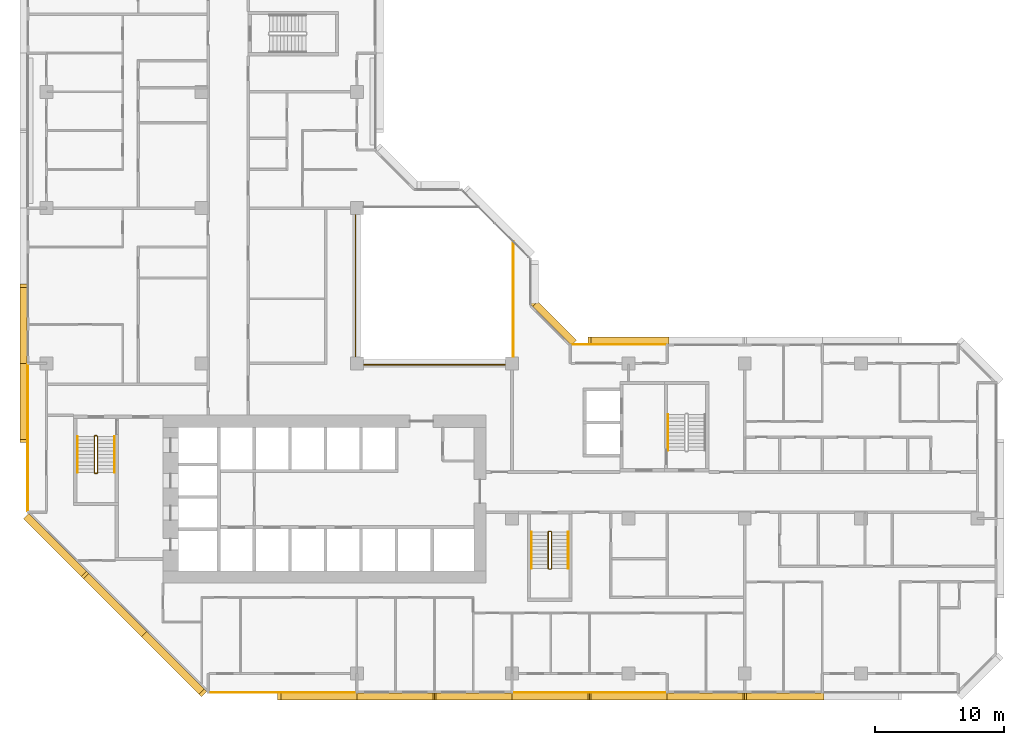
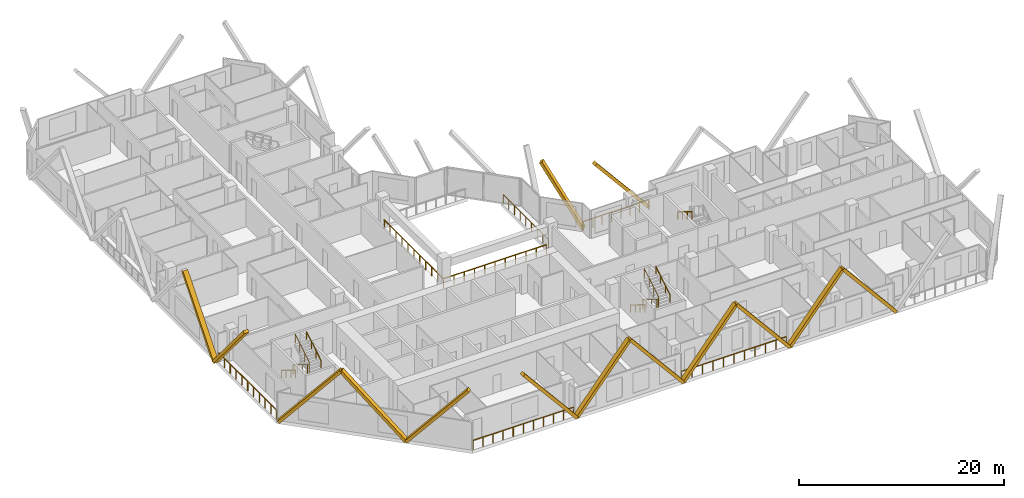
# One storey, part 15 of 16: 14 coverings, 13 railings.
"""IFC4 building model written with IfcOpenShell, lengths in metres."""

from ifc_helpers import new_model, si_unit, direction, frame, origin, origin_2d, place, context, subcontext, project, spatial, rectangle, extrude, material, material_profile, profile_set, type_object, element, save


model = new_model("IFC4")

# Units and contexts
model_context = context("Model", 3, precision=1e-05, world=origin(), true_north=direction((0.0, 1.0)))
body_context = subcontext(model_context, "Body", "Model", "MODEL_VIEW")
ifc_project = project(units=[si_unit("LENGTHUNIT", "METRE"), si_unit("AREAUNIT", "SQUARE_METRE"), si_unit("VOLUMEUNIT", "CUBIC_METRE"), si_unit("PLANEANGLEUNIT", "RADIAN"), si_unit("MASSUNIT", "GRAM", prefix="KILO")], contexts=[model_context])

# Site, building, storey
site_placement = place(None, origin())
site = spatial("IfcSite", under=ifc_project, at=site_placement, CompositionType="ELEMENT")
building_placement = place(site_placement, origin())
building = spatial("IfcBuilding", under=site, at=building_placement, Name="Chenar Terraces", CompositionType="ELEMENT")
storey_placement = place(building_placement, frame((0.0, 0.0, 99.39990234375)))
storey = spatial("IfcBuildingStorey", under=building, at=storey_placement, Name="L22", CompositionType="ELEMENT", Elevation=99.39990234375)

# Railings
ifc_material_1 = material(Name="Powder-coated steel", Category="steel")
railing_type_1 = type_object("IfcRailingType", Name="Guard 1100 steel rail with glass infill", PredefinedType="GUARDRAIL", material=ifc_material_1)
railing_1_placement = place(storey_placement, frame((23.89990234375, 35.5, 0.0)))
element("IfcRailing", 1, at=railing_1_placement, inside=storey, type_object=railing_type_1, Name="Guard L22-1", PredefinedType="GUARDRAIL", context=body_context, shape_type="SweptSolid", body=[
    extrude(rectangle(XDim=0.06005859375, YDim=0.06005859375, at=origin_2d()), frame((0.0, 0.0, 1.070068359375), z_axis=(0.0, -1.0, 0.0), x_axis=(1.0, 0.0, 0.0)), (0.0, 0.0, 1.0), 11.60009765625),
    extrude(rectangle(XDim=0.06005859375, YDim=0.06005859375, at=origin_2d()), frame((0.0, -11.60009765625, 1.070068359375), z_axis=(1.0, 0.0, 0.0), x_axis=(0.0, 1.0, 0.0)), (0.0, 0.0, 1.0), 11.60009765625),
    extrude(rectangle(XDim=0.050048828125, YDim=0.050048828125, at=origin_2d()), origin(), (0.0, 0.0, 1.0), 1.0400390625),
    extrude(rectangle(XDim=0.050048828125, YDim=0.050048828125, at=origin_2d()), frame((0.0, -1.159912109375, 0.0)), (0.0, 0.0, 1.0), 1.0400390625),
    extrude(rectangle(XDim=0.050048828125, YDim=0.050048828125, at=origin_2d()), frame((0.0, -2.320068359375, 0.0)), (0.0, 0.0, 1.0), 1.0400390625),
    extrude(rectangle(XDim=0.050048828125, YDim=0.050048828125, at=origin_2d()), frame((0.0, -3.47998046875, 0.0)), (0.0, 0.0, 1.0), 1.0400390625),
    extrude(rectangle(XDim=0.050048828125, YDim=0.050048828125, at=origin_2d()), frame((0.0, -4.64013671875, 0.0)), (0.0, 0.0, 1.0), 1.0400390625),
    extrude(rectangle(XDim=0.050048828125, YDim=0.050048828125, at=origin_2d()), frame((0.0, -5.800048828125, 0.0)), (0.0, 0.0, 1.0), 1.0400390625),
    extrude(rectangle(XDim=0.050048828125, YDim=0.050048828125, at=origin_2d()), frame((0.0, -6.9599609375, 0.0)), (0.0, 0.0, 1.0), 1.0400390625),
    extrude(rectangle(XDim=0.050048828125, YDim=0.050048828125, at=origin_2d()), frame((0.0, -8.1201171875, 0.0)), (0.0, 0.0, 1.0), 1.0400390625),
    extrude(rectangle(XDim=0.050048828125, YDim=0.050048828125, at=origin_2d()), frame((0.0, -9.280029296875, 0.0)), (0.0, 0.0, 1.0), 1.0400390625),
    extrude(rectangle(XDim=0.050048828125, YDim=0.050048828125, at=origin_2d()), frame((0.0, -10.440185546875, 0.0)), (0.0, 0.0, 1.0), 1.0400390625),
    extrude(rectangle(XDim=0.050048828125, YDim=0.050048828125, at=origin_2d()), frame((0.0, -11.60009765625, 0.0)), (0.0, 0.0, 1.0), 1.0400390625),
    extrude(rectangle(XDim=0.050048828125, YDim=0.050048828125, at=origin_2d()), frame((1.159912109375, -11.60009765625, 0.0)), (0.0, 0.0, 1.0), 1.0400390625),
    extrude(rectangle(XDim=0.050048828125, YDim=0.050048828125, at=origin_2d()), frame((2.320068359375, -11.60009765625, 0.0)), (0.0, 0.0, 1.0), 1.0400390625),
    extrude(rectangle(XDim=0.050048828125, YDim=0.050048828125, at=origin_2d()), frame((3.47998046875, -11.60009765625, 0.0)), (0.0, 0.0, 1.0), 1.0400390625),
    extrude(rectangle(XDim=0.050048828125, YDim=0.050048828125, at=origin_2d()), frame((4.64013671875, -11.60009765625, 0.0)), (0.0, 0.0, 1.0), 1.0400390625),
    extrude(rectangle(XDim=0.050048828125, YDim=0.050048828125, at=origin_2d()), frame((5.800048828125, -11.60009765625, 0.0)), (0.0, 0.0, 1.0), 1.0400390625),
    extrude(rectangle(XDim=0.050048828125, YDim=0.050048828125, at=origin_2d()), frame((6.9599609375, -11.60009765625, 0.0)), (0.0, 0.0, 1.0), 1.0400390625),
    extrude(rectangle(XDim=0.050048828125, YDim=0.050048828125, at=origin_2d()), frame((8.1201171875, -11.60009765625, 0.0)), (0.0, 0.0, 1.0), 1.0400390625),
    extrude(rectangle(XDim=0.050048828125, YDim=0.050048828125, at=origin_2d()), frame((9.280029296875, -11.60009765625, 0.0)), (0.0, 0.0, 1.0), 1.0400390625),
    extrude(rectangle(XDim=0.050048828125, YDim=0.050048828125, at=origin_2d()), frame((10.440185546875, -11.60009765625, 0.0)), (0.0, 0.0, 1.0), 1.0400390625),
    extrude(rectangle(XDim=0.050048828125, YDim=0.050048828125, at=origin_2d()), frame((11.60009765625, -11.60009765625, 0.0)), (0.0, 0.0, 1.0), 1.0400390625),
])
railing_2_placement = place(storey_placement, frame((36.10009765625, 24.550048828125, 0.0)))
element("IfcRailing", 2, at=railing_2_placement, inside=storey, type_object=railing_type_1, Name="Guard L22-3", PredefinedType="GUARDRAIL", context=body_context, shape_type="SweptSolid", body=[
    extrude(rectangle(XDim=0.06005859375, YDim=0.06005859375, at=origin_2d()), frame((0.0, 0.0, 1.070068359375), z_axis=(0.0, 1.0, 0.0), x_axis=(-1.0, 0.0, 0.0)), (0.0, 0.0, 1.0), 8.849853515625),
    extrude(rectangle(XDim=0.050048828125, YDim=0.050048828125, at=origin_2d()), origin(), (0.0, 0.0, 1.0), 1.0400390625),
    extrude(rectangle(XDim=0.050048828125, YDim=0.050048828125, at=origin_2d()), frame((0.0, 1.106201171875, 0.0)), (0.0, 0.0, 1.0), 1.0400390625),
    extrude(rectangle(XDim=0.050048828125, YDim=0.050048828125, at=origin_2d()), frame((0.0, 2.21240234375, 0.0)), (0.0, 0.0, 1.0), 1.0400390625),
    extrude(rectangle(XDim=0.050048828125, YDim=0.050048828125, at=origin_2d()), frame((0.0, 3.318603515625, 0.0)), (0.0, 0.0, 1.0), 1.0400390625),
    extrude(rectangle(XDim=0.050048828125, YDim=0.050048828125, at=origin_2d()), frame((0.0, 4.4248046875, 0.0)), (0.0, 0.0, 1.0), 1.0400390625),
    extrude(rectangle(XDim=0.050048828125, YDim=0.050048828125, at=origin_2d()), frame((0.0, 5.53125, 0.0)), (0.0, 0.0, 1.0), 1.0400390625),
    extrude(rectangle(XDim=0.050048828125, YDim=0.050048828125, at=origin_2d()), frame((0.0, 6.637451171875, 0.0)), (0.0, 0.0, 1.0), 1.0400390625),
    extrude(rectangle(XDim=0.050048828125, YDim=0.050048828125, at=origin_2d()), frame((0.0, 7.74365234375, 0.0)), (0.0, 0.0, 1.0), 1.0400390625),
    extrude(rectangle(XDim=0.050048828125, YDim=0.050048828125, at=origin_2d()), frame((0.0, 8.849853515625, 0.0)), (0.0, 0.0, 1.0), 1.0400390625),
])
ifc_material_2 = material(Name="Stainless steel and glass", Category="steel")
railing_type_2 = type_object("IfcRailingType", Name="Loggia guard 1150", PredefinedType="GUARDRAIL", material=ifc_material_2)
railing_3_placement = place(storey_placement, frame((47.925048828125, 25.449951171875, 0.0)))
element("IfcRailing", 3, at=railing_3_placement, inside=storey, type_object=railing_type_2, Name="Loggia guard", PredefinedType="GUARDRAIL", context=body_context, shape_type="SweptSolid", body=[
    extrude(rectangle(XDim=0.048095703125, YDim=0.048095703125, at=origin_2d()), frame((0.0, 0.0, 1.1259765625), z_axis=(-1.0, 0.0, 0.0), x_axis=(0.0, -1.0, 0.0)), (0.0, 0.0, 1.0), 7.35009765625),
    extrude(rectangle(XDim=0.0419921875, YDim=0.0419921875, at=origin_2d()), origin(), (0.0, 0.0, 1.0), 1.101806640625),
    extrude(rectangle(XDim=0.0419921875, YDim=0.0419921875, at=origin_2d()), frame((-1.050048828125, 0.0, 0.0)), (0.0, 0.0, 1.0), 1.101806640625),
    extrude(rectangle(XDim=0.0419921875, YDim=0.0419921875, at=origin_2d()), frame((-2.10009765625, 0.0, 0.0)), (0.0, 0.0, 1.0), 1.101806640625),
    extrude(rectangle(XDim=0.0419921875, YDim=0.0419921875, at=origin_2d()), frame((-3.150146484375, 0.0, 0.0)), (0.0, 0.0, 1.0), 1.101806640625),
    extrude(rectangle(XDim=0.0419921875, YDim=0.0419921875, at=origin_2d()), frame((-4.199951171875, 0.0, 0.0)), (0.0, 0.0, 1.0), 1.101806640625),
    extrude(rectangle(XDim=0.0419921875, YDim=0.0419921875, at=origin_2d()), frame((-5.25, 0.0, 0.0)), (0.0, 0.0, 1.0), 1.101806640625),
    extrude(rectangle(XDim=0.0419921875, YDim=0.0419921875, at=origin_2d()), frame((-6.300048828125, 0.0, 0.0)), (0.0, 0.0, 1.0), 1.101806640625),
    extrude(rectangle(XDim=0.0419921875, YDim=0.0419921875, at=origin_2d()), frame((-7.35009765625, 0.0, 0.0)), (0.0, 0.0, 1.0), 1.101806640625),
])
railing_4_placement = place(storey_placement, frame((12.574951171875, -1.449951171875, 0.0)))
element("IfcRailing", 4, at=railing_4_placement, inside=storey, type_object=railing_type_2, Name="Loggia guard", PredefinedType="GUARDRAIL", context=body_context, shape_type="SweptSolid", body=[
    extrude(rectangle(XDim=0.048095703125, YDim=0.048095703125, at=origin_2d()), frame((0.0, 0.0, 1.1259765625), z_axis=(1.0, 0.0, 0.0), x_axis=(0.0, 1.0, 0.0)), (0.0, 0.0, 1.0), 11.35009765625),
    extrude(rectangle(XDim=0.0419921875, YDim=0.0419921875, at=origin_2d()), origin(), (0.0, 0.0, 1.0), 1.101806640625),
    extrude(rectangle(XDim=0.0419921875, YDim=0.0419921875, at=origin_2d()), frame((1.135009765625, 0.0, 0.0)), (0.0, 0.0, 1.0), 1.101806640625),
    extrude(rectangle(XDim=0.0419921875, YDim=0.0419921875, at=origin_2d()), frame((2.27001953125, 0.0, 0.0)), (0.0, 0.0, 1.0), 1.101806640625),
    extrude(rectangle(XDim=0.0419921875, YDim=0.0419921875, at=origin_2d()), frame((3.405029296875, 0.0, 0.0)), (0.0, 0.0, 1.0), 1.101806640625),
    extrude(rectangle(XDim=0.0419921875, YDim=0.0419921875, at=origin_2d()), frame((4.5400390625, 0.0, 0.0)), (0.0, 0.0, 1.0), 1.101806640625),
    extrude(rectangle(XDim=0.0419921875, YDim=0.0419921875, at=origin_2d()), frame((5.675048828125, 0.0, 0.0)), (0.0, 0.0, 1.0), 1.101806640625),
    extrude(rectangle(XDim=0.0419921875, YDim=0.0419921875, at=origin_2d()), frame((6.81005859375, 0.0, 0.0)), (0.0, 0.0, 1.0), 1.101806640625),
    extrude(rectangle(XDim=0.0419921875, YDim=0.0419921875, at=origin_2d()), frame((7.945068359375, 0.0, 0.0)), (0.0, 0.0, 1.0), 1.101806640625),
    extrude(rectangle(XDim=0.0419921875, YDim=0.0419921875, at=origin_2d()), frame((9.080078125, 0.0, 0.0)), (0.0, 0.0, 1.0), 1.101806640625),
    extrude(rectangle(XDim=0.0419921875, YDim=0.0419921875, at=origin_2d()), frame((10.215087890625, 0.0, 0.0)), (0.0, 0.0, 1.0), 1.101806640625),
    extrude(rectangle(XDim=0.0419921875, YDim=0.0419921875, at=origin_2d()), frame((11.35009765625, 0.0, 0.0)), (0.0, 0.0, 1.0), 1.101806640625),
])
railing_5_placement = place(storey_placement, frame((36.074951171875, -1.449951171875, 0.0)))
element("IfcRailing", 5, at=railing_5_placement, inside=storey, type_object=railing_type_2, Name="Loggia guard", PredefinedType="GUARDRAIL", context=body_context, shape_type="SweptSolid", body=[
    extrude(rectangle(XDim=0.048095703125, YDim=0.048095703125, at=origin_2d()), frame((0.0, 0.0, 1.1259765625), z_axis=(1.0, 0.0, 0.0), x_axis=(0.0, 1.0, 0.0)), (0.0, 0.0, 1.0), 11.85009765625),
    extrude(rectangle(XDim=0.0419921875, YDim=0.0419921875, at=origin_2d()), origin(), (0.0, 0.0, 1.0), 1.101806640625),
    extrude(rectangle(XDim=0.0419921875, YDim=0.0419921875, at=origin_2d()), frame((1.18505859375, 0.0, 0.0)), (0.0, 0.0, 1.0), 1.101806640625),
    extrude(rectangle(XDim=0.0419921875, YDim=0.0419921875, at=origin_2d()), frame((2.3701171875, 0.0, 0.0)), (0.0, 0.0, 1.0), 1.101806640625),
    extrude(rectangle(XDim=0.0419921875, YDim=0.0419921875, at=origin_2d()), frame((3.554931640625, 0.0, 0.0)), (0.0, 0.0, 1.0), 1.101806640625),
    extrude(rectangle(XDim=0.0419921875, YDim=0.0419921875, at=origin_2d()), frame((4.739990234375, 0.0, 0.0)), (0.0, 0.0, 1.0), 1.101806640625),
    extrude(rectangle(XDim=0.0419921875, YDim=0.0419921875, at=origin_2d()), frame((5.925048828125, 0.0, 0.0)), (0.0, 0.0, 1.0), 1.101806640625),
    extrude(rectangle(XDim=0.0419921875, YDim=0.0419921875, at=origin_2d()), frame((7.110107421875, 0.0, 0.0)), (0.0, 0.0, 1.0), 1.101806640625),
    extrude(rectangle(XDim=0.0419921875, YDim=0.0419921875, at=origin_2d()), frame((8.295166015625, 0.0, 0.0)), (0.0, 0.0, 1.0), 1.101806640625),
    extrude(rectangle(XDim=0.0419921875, YDim=0.0419921875, at=origin_2d()), frame((9.47998046875, 0.0, 0.0)), (0.0, 0.0, 1.0), 1.101806640625),
    extrude(rectangle(XDim=0.0419921875, YDim=0.0419921875, at=origin_2d()), frame((10.6650390625, 0.0, 0.0)), (0.0, 0.0, 1.0), 1.101806640625),
    extrude(rectangle(XDim=0.0419921875, YDim=0.0419921875, at=origin_2d()), frame((11.85009765625, 0.0, 0.0)), (0.0, 0.0, 1.0), 1.101806640625),
])
railing_6_placement = place(storey_placement, frame((-1.449951171875, 23.925048828125, 0.0)))
element("IfcRailing", 6, at=railing_6_placement, inside=storey, type_object=railing_type_2, Name="Loggia guard", PredefinedType="GUARDRAIL", context=body_context, shape_type="SweptSolid", body=[
    extrude(rectangle(XDim=0.048095703125, YDim=0.048095703125, at=origin_2d()), frame((0.0, 0.0, 1.1259765625), z_axis=(0.0, -1.0, 0.0), x_axis=(1.0, 0.0, 0.0)), (0.0, 0.0, 1.0), 11.35009765625),
    extrude(rectangle(XDim=0.0419921875, YDim=0.0419921875, at=origin_2d()), origin(), (0.0, 0.0, 1.0), 1.101806640625),
    extrude(rectangle(XDim=0.0419921875, YDim=0.0419921875, at=origin_2d()), frame((0.0, -1.135009765625, 0.0)), (0.0, 0.0, 1.0), 1.101806640625),
    extrude(rectangle(XDim=0.0419921875, YDim=0.0419921875, at=origin_2d()), frame((0.0, -2.27001953125, 0.0)), (0.0, 0.0, 1.0), 1.101806640625),
    extrude(rectangle(XDim=0.0419921875, YDim=0.0419921875, at=origin_2d()), frame((0.0, -3.405029296875, 0.0)), (0.0, 0.0, 1.0), 1.101806640625),
    extrude(rectangle(XDim=0.0419921875, YDim=0.0419921875, at=origin_2d()), frame((0.0, -4.5400390625, 0.0)), (0.0, 0.0, 1.0), 1.101806640625),
    extrude(rectangle(XDim=0.0419921875, YDim=0.0419921875, at=origin_2d()), frame((0.0, -5.675048828125, 0.0)), (0.0, 0.0, 1.0), 1.101806640625),
    extrude(rectangle(XDim=0.0419921875, YDim=0.0419921875, at=origin_2d()), frame((0.0, -6.81005859375, 0.0)), (0.0, 0.0, 1.0), 1.101806640625),
    extrude(rectangle(XDim=0.0419921875, YDim=0.0419921875, at=origin_2d()), frame((0.0, -7.945068359375, 0.0)), (0.0, 0.0, 1.0), 1.101806640625),
    extrude(rectangle(XDim=0.0419921875, YDim=0.0419921875, at=origin_2d()), frame((0.0, -9.080078125, 0.0)), (0.0, 0.0, 1.0), 1.101806640625),
    extrude(rectangle(XDim=0.0419921875, YDim=0.0419921875, at=origin_2d()), frame((0.0, -10.215087890625, 0.0)), (0.0, 0.0, 1.0), 1.101806640625),
    extrude(rectangle(XDim=0.0419921875, YDim=0.0419921875, at=origin_2d()), frame((0.0, -11.35009765625, 0.0)), (0.0, 0.0, 1.0), 1.101806640625),
])
ifc_material_3 = material(Name="Powder-coated steel", Category="steel")
railing_type_3 = type_object("IfcRailingType", Name="Stair guard 1100", PredefinedType="GUARDRAIL", material=ifc_material_3)
railing_7_placement = place(storey_placement, frame((3.949951171875, 18.35009765625, 3.75)))
element("IfcRailing", 7, at=railing_7_placement, inside=storey, type_object=railing_type_3, Name="L22 ST1 stair guard 1", PredefinedType="GUARDRAIL", context=body_context, shape_type="SweptSolid", body=[
    extrude(rectangle(XDim=0.048095703125, YDim=0.048095703125, at=origin_2d()), frame((0.0, 0.0, 1.076171875), z_axis=(0.0, -0.854202870247, -0.519939858505), x_axis=(1.0, 0.0, 0.0)), (0.0, 0.0, 1.0), 3.278076171875),
    extrude(rectangle(XDim=0.048095703125, YDim=0.048095703125, at=origin_2d()), frame((0.0, -2.800048828125, -0.62841796875), z_axis=(-0.270899902878, -0.270899902878, -0.923702595667), x_axis=(0.707106781187, -0.707106781187, 0.0)), (0.0, 0.0, 1.0), 0.184814453125),
    extrude(rectangle(XDim=0.048095703125, YDim=0.048095703125, at=origin_2d()), frame((-0.050048828125, -2.85009765625, -0.798828125), z_axis=(-1.0, 0.0, 0.0), x_axis=(0.0, -1.0, 0.0)), (0.0, 0.0, 1.0), 0.14990234375),
    extrude(rectangle(XDim=0.048095703125, YDim=0.048095703125, at=origin_2d()), frame((-0.199951171875, -2.85009765625, -0.798828125), z_axis=(-0.707106781187, 0.707106781187, 0.0), x_axis=(-0.707106781187, -0.707106781187, 0.0)), (0.0, 0.0, 1.0), 0.07080078125),
    extrude(rectangle(XDim=0.048095703125, YDim=0.048095703125, at=origin_2d()), frame((-0.25, -2.800048828125, -0.798828125), z_axis=(0.0, 0.854202870247, -0.519939858505), x_axis=(-1.0, 0.0, 0.0)), (0.0, 0.0, 1.0), 3.278076171875),
    extrude(rectangle(XDim=0.048095703125, YDim=0.048095703125, at=origin_2d()), frame((-0.25, 0.0, -2.50341796875), z_axis=(0.270996696079, 0.269674760976, -0.924032636873), x_axis=(-0.705375805398, 0.708833529934, 0.0)), (0.0, 0.0, 1.0), 0.1845703125),
    extrude(rectangle(XDim=0.048095703125, YDim=0.048095703125, at=origin_2d()), frame((-0.199951171875, 0.0498046875, -2.673828125), z_axis=(1.0, 0.0, 0.0), x_axis=(0.0, 1.0, 0.0)), (0.0, 0.0, 1.0), 0.14990234375),
    extrude(rectangle(XDim=0.0419921875, YDim=0.0419921875, at=origin_2d()), origin(), (0.0, 0.0, 1.0), 1.052001953125),
    extrude(rectangle(XDim=0.0419921875, YDim=0.0419921875, at=origin_2d()), frame((0.0, -0.933349609375, -0.568115234375)), (0.0, 0.0, 1.0), 1.052001953125),
    extrude(rectangle(XDim=0.0419921875, YDim=0.0419921875, at=origin_2d()), frame((0.0, -1.86669921875, -1.13623046875)), (0.0, 0.0, 1.0), 1.052001953125),
    extrude(rectangle(XDim=0.0419921875, YDim=0.0419921875, at=origin_2d()), frame((0.0, -2.800048828125, -1.704345703125)), (0.0, 0.0, 1.0), 1.052001953125),
    extrude(rectangle(XDim=0.0419921875, YDim=0.0419921875, at=origin_2d()), frame((-0.050048828125, -2.85009765625, -1.875)), (0.0, 0.0, 1.0), 1.052001953125),
    extrude(rectangle(XDim=0.0419921875, YDim=0.0419921875, at=origin_2d()), frame((-0.199951171875, -2.85009765625, -1.875)), (0.0, 0.0, 1.0), 1.052001953125),
    extrude(rectangle(XDim=0.0419921875, YDim=0.0419921875, at=origin_2d()), frame((-0.25, -2.800048828125, -1.875)), (0.0, 0.0, 1.0), 1.052001953125),
    extrude(rectangle(XDim=0.0419921875, YDim=0.0419921875, at=origin_2d()), frame((-0.25, -1.86669921875, -2.443115234375)), (0.0, 0.0, 1.0), 1.052001953125),
    extrude(rectangle(XDim=0.0419921875, YDim=0.0419921875, at=origin_2d()), frame((-0.25, -0.933349609375, -3.01123046875)), (0.0, 0.0, 1.0), 1.052001953125),
    extrude(rectangle(XDim=0.0419921875, YDim=0.0419921875, at=origin_2d()), frame((-0.25, 0.0, -3.579345703125)), (0.0, 0.0, 1.0), 1.052001953125),
    extrude(rectangle(XDim=0.0419921875, YDim=0.0419921875, at=origin_2d()), frame((-0.199951171875, 0.0498046875, -3.75)), (0.0, 0.0, 1.0), 1.052001953125),
    extrude(rectangle(XDim=0.0419921875, YDim=0.0419921875, at=origin_2d()), frame((-0.050048828125, 0.0498046875, -3.75)), (0.0, 0.0, 1.0), 1.052001953125),
])
railing_8_placement = place(storey_placement, frame((39.050048828125, 10.949951171875, 3.75)))
element("IfcRailing", 8, at=railing_8_placement, inside=storey, type_object=railing_type_3, Name="L22 ST2 stair guard 1", PredefinedType="GUARDRAIL", context=body_context, shape_type="SweptSolid", body=[
    extrude(rectangle(XDim=0.048095703125, YDim=0.048095703125, at=origin_2d()), frame((0.0, 0.0, 1.076171875), z_axis=(0.0, -0.854202870247, -0.519939858505), x_axis=(1.0, 0.0, 0.0)), (0.0, 0.0, 1.0), 3.278076171875),
    extrude(rectangle(XDim=0.048095703125, YDim=0.048095703125, at=origin_2d()), frame((0.0, -2.800048828125, -0.62841796875), z_axis=(-0.270996696079, -0.269674760976, -0.924032636873), x_axis=(0.705375805398, -0.708833529934, 0.0)), (0.0, 0.0, 1.0), 0.1845703125),
    extrude(rectangle(XDim=0.048095703125, YDim=0.048095703125, at=origin_2d()), frame((-0.050048828125, -2.849853515625, -0.798828125), z_axis=(-1.0, 0.0, 0.0), x_axis=(0.0, -1.0, 0.0)), (0.0, 0.0, 1.0), 0.14990234375),
    extrude(rectangle(XDim=0.048095703125, YDim=0.048095703125, at=origin_2d()), frame((-0.199951171875, -2.849853515625, -0.798828125), z_axis=(-0.708833529934, 0.705375805398, 0.0), x_axis=(-0.705375805398, -0.708833529934, 0.0)), (0.0, 0.0, 1.0), 0.070556640625),
    extrude(rectangle(XDim=0.048095703125, YDim=0.048095703125, at=origin_2d()), frame((-0.25, -2.800048828125, -0.798828125), z_axis=(0.0, 0.854202870247, -0.519939858505), x_axis=(-1.0, 0.0, 0.0)), (0.0, 0.0, 1.0), 3.278076171875),
    extrude(rectangle(XDim=0.048095703125, YDim=0.048095703125, at=origin_2d()), frame((-0.25, 0.0, -2.50341796875), z_axis=(0.270899902878, 0.270899902878, -0.923702595667), x_axis=(-0.707106781187, 0.707106781187, 0.0)), (0.0, 0.0, 1.0), 0.184814453125),
    extrude(rectangle(XDim=0.048095703125, YDim=0.048095703125, at=origin_2d()), frame((-0.199951171875, 0.050048828125, -2.673828125), z_axis=(1.0, 0.0, 0.0), x_axis=(0.0, 1.0, 0.0)), (0.0, 0.0, 1.0), 0.14990234375),
    extrude(rectangle(XDim=0.0419921875, YDim=0.0419921875, at=origin_2d()), origin(), (0.0, 0.0, 1.0), 1.052001953125),
    extrude(rectangle(XDim=0.0419921875, YDim=0.0419921875, at=origin_2d()), frame((0.0, -0.933349609375, -0.568115234375)), (0.0, 0.0, 1.0), 1.052001953125),
    extrude(rectangle(XDim=0.0419921875, YDim=0.0419921875, at=origin_2d()), frame((0.0, -1.86669921875, -1.13623046875)), (0.0, 0.0, 1.0), 1.052001953125),
    extrude(rectangle(XDim=0.0419921875, YDim=0.0419921875, at=origin_2d()), frame((0.0, -2.800048828125, -1.704345703125)), (0.0, 0.0, 1.0), 1.052001953125),
    extrude(rectangle(XDim=0.0419921875, YDim=0.0419921875, at=origin_2d()), frame((-0.050048828125, -2.849853515625, -1.875)), (0.0, 0.0, 1.0), 1.052001953125),
    extrude(rectangle(XDim=0.0419921875, YDim=0.0419921875, at=origin_2d()), frame((-0.199951171875, -2.849853515625, -1.875)), (0.0, 0.0, 1.0), 1.052001953125),
    extrude(rectangle(XDim=0.0419921875, YDim=0.0419921875, at=origin_2d()), frame((-0.25, -2.800048828125, -1.875)), (0.0, 0.0, 1.0), 1.052001953125),
    extrude(rectangle(XDim=0.0419921875, YDim=0.0419921875, at=origin_2d()), frame((-0.25, -1.86669921875, -2.443115234375)), (0.0, 0.0, 1.0), 1.052001953125),
    extrude(rectangle(XDim=0.0419921875, YDim=0.0419921875, at=origin_2d()), frame((-0.25, -0.933349609375, -3.01123046875)), (0.0, 0.0, 1.0), 1.052001953125),
    extrude(rectangle(XDim=0.0419921875, YDim=0.0419921875, at=origin_2d()), frame((-0.25, 0.0, -3.579345703125)), (0.0, 0.0, 1.0), 1.052001953125),
    extrude(rectangle(XDim=0.0419921875, YDim=0.0419921875, at=origin_2d()), frame((-0.199951171875, 0.050048828125, -3.75)), (0.0, 0.0, 1.0), 1.052001953125),
    extrude(rectangle(XDim=0.0419921875, YDim=0.0419921875, at=origin_2d()), frame((-0.050048828125, 0.050048828125, -3.75)), (0.0, 0.0, 1.0), 1.052001953125),
])
ifc_material_4 = material(Name="Powder-coated steel", Category="steel")
railing_type_4 = type_object("IfcRailingType", Name="Stair handrail 900", PredefinedType="HANDRAIL", material=ifc_material_4)
railing_9_placement = place(storey_placement, frame((2.39990234375, 18.35009765625, 0.170654296875)))
element("IfcRailing", 9, at=railing_9_placement, inside=storey, type_object=railing_type_4, Name="L22 ST1 stair handrail 1", PredefinedType="HANDRAIL", context=body_context, shape_type="SweptSolid", body=[
    extrude(rectangle(XDim=0.048095703125, YDim=0.048095703125, at=origin_2d()), frame((0.0, 0.0, 0.8759765625), z_axis=(0.0, -0.854202870247, 0.519939858505), x_axis=(1.0, 0.0, 0.0)), (0.0, 0.0, 1.0), 3.278076171875),
    extrude(rectangle(XDim=0.0419921875, YDim=0.0419921875, at=origin_2d()), origin(), (0.0, 0.0, 1.0), 0.851806640625),
    extrude(rectangle(XDim=0.0419921875, YDim=0.0419921875, at=origin_2d()), frame((0.0, -0.933349609375, 0.568115234375)), (0.0, 0.0, 1.0), 0.851806640625),
    extrude(rectangle(XDim=0.0419921875, YDim=0.0419921875, at=origin_2d()), frame((0.0, -1.86669921875, 1.13623046875)), (0.0, 0.0, 1.0), 0.851806640625),
    extrude(rectangle(XDim=0.0419921875, YDim=0.0419921875, at=origin_2d()), frame((0.0, -2.800048828125, 1.704345703125)), (0.0, 0.0, 1.0), 0.851806640625),
])
railing_10_placement = place(storey_placement, frame((5.25, 15.550048828125, 2.045654296875)))
element("IfcRailing", 10, at=railing_10_placement, inside=storey, type_object=railing_type_4, Name="L22 ST1 stair handrail 2", PredefinedType="HANDRAIL", context=body_context, shape_type="SweptSolid", body=[
    extrude(rectangle(XDim=0.048095703125, YDim=0.048095703125, at=origin_2d()), frame((0.0, 0.0, 0.8759765625), z_axis=(0.0, 0.854202870247, 0.519939858505), x_axis=(-1.0, 0.0, 0.0)), (0.0, 0.0, 1.0), 3.278076171875),
    extrude(rectangle(XDim=0.0419921875, YDim=0.0419921875, at=origin_2d()), origin(), (0.0, 0.0, 1.0), 0.851806640625),
    extrude(rectangle(XDim=0.0419921875, YDim=0.0419921875, at=origin_2d()), frame((0.0, 0.933349609375, 0.568115234375)), (0.0, 0.0, 1.0), 0.851806640625),
    extrude(rectangle(XDim=0.0419921875, YDim=0.0419921875, at=origin_2d()), frame((0.0, 1.86669921875, 1.13623046875)), (0.0, 0.0, 1.0), 0.851806640625),
    extrude(rectangle(XDim=0.0419921875, YDim=0.0419921875, at=origin_2d()), frame((0.0, 2.800048828125, 1.704345703125)), (0.0, 0.0, 1.0), 0.851806640625),
])
railing_11_placement = place(storey_placement, frame((37.5, 10.949951171875, 0.170654296875)))
element("IfcRailing", 11, at=railing_11_placement, inside=storey, type_object=railing_type_4, Name="L22 ST2 stair handrail 1", PredefinedType="HANDRAIL", context=body_context, shape_type="SweptSolid", body=[
    extrude(rectangle(XDim=0.048095703125, YDim=0.048095703125, at=origin_2d()), frame((0.0, 0.0, 0.8759765625), z_axis=(0.0, -0.854202870247, 0.519939858505), x_axis=(1.0, 0.0, 0.0)), (0.0, 0.0, 1.0), 3.278076171875),
    extrude(rectangle(XDim=0.0419921875, YDim=0.0419921875, at=origin_2d()), origin(), (0.0, 0.0, 1.0), 0.851806640625),
    extrude(rectangle(XDim=0.0419921875, YDim=0.0419921875, at=origin_2d()), frame((0.0, -0.933349609375, 0.568115234375)), (0.0, 0.0, 1.0), 0.851806640625),
    extrude(rectangle(XDim=0.0419921875, YDim=0.0419921875, at=origin_2d()), frame((0.0, -1.86669921875, 1.13623046875)), (0.0, 0.0, 1.0), 0.851806640625),
    extrude(rectangle(XDim=0.0419921875, YDim=0.0419921875, at=origin_2d()), frame((0.0, -2.800048828125, 1.704345703125)), (0.0, 0.0, 1.0), 0.851806640625),
])
railing_12_placement = place(storey_placement, frame((40.35009765625, 8.14990234375, 2.045654296875)))
element("IfcRailing", 12, at=railing_12_placement, inside=storey, type_object=railing_type_4, Name="L22 ST2 stair handrail 2", PredefinedType="HANDRAIL", context=body_context, shape_type="SweptSolid", body=[
    extrude(rectangle(XDim=0.048095703125, YDim=0.048095703125, at=origin_2d()), frame((0.0, 0.0, 0.8759765625), z_axis=(0.0, 0.854202870247, 0.519939858505), x_axis=(-1.0, 0.0, 0.0)), (0.0, 0.0, 1.0), 3.278076171875),
    extrude(rectangle(XDim=0.0419921875, YDim=0.0419921875, at=origin_2d()), origin(), (0.0, 0.0, 1.0), 0.851806640625),
    extrude(rectangle(XDim=0.0419921875, YDim=0.0419921875, at=origin_2d()), frame((0.0, 0.933349609375, 0.568115234375)), (0.0, 0.0, 1.0), 0.851806640625),
    extrude(rectangle(XDim=0.0419921875, YDim=0.0419921875, at=origin_2d()), frame((0.0, 1.86669921875, 1.13623046875)), (0.0, 0.0, 1.0), 0.851806640625),
    extrude(rectangle(XDim=0.0419921875, YDim=0.0419921875, at=origin_2d()), frame((0.0, 2.800048828125, 1.704345703125)), (0.0, 0.0, 1.0), 0.851806640625),
])
railing_13_placement = place(storey_placement, frame((48.074951171875, 20.050048828125, 2.045654296875)))
element("IfcRailing", 13, at=railing_13_placement, inside=storey, type_object=railing_type_4, Name="L22 ST3 stair handrail 2", PredefinedType="HANDRAIL", context=body_context, shape_type="SweptSolid", body=[
    extrude(rectangle(XDim=0.048095703125, YDim=0.048095703125, at=origin_2d()), frame((0.0, 0.0, 0.8759765625), z_axis=(0.0, -0.854202870247, 0.519939858505), x_axis=(1.0, 0.0, 0.0)), (0.0, 0.0, 1.0), 3.278076171875),
    extrude(rectangle(XDim=0.0419921875, YDim=0.0419921875, at=origin_2d()), origin(), (0.0, 0.0, 1.0), 0.851806640625),
    extrude(rectangle(XDim=0.0419921875, YDim=0.0419921875, at=origin_2d()), frame((0.0, -0.933349609375, 0.568115234375)), (0.0, 0.0, 1.0), 0.851806640625),
    extrude(rectangle(XDim=0.0419921875, YDim=0.0419921875, at=origin_2d()), frame((0.0, -1.86669921875, 1.13623046875)), (0.0, 0.0, 1.0), 0.851806640625),
    extrude(rectangle(XDim=0.0419921875, YDim=0.0419921875, at=origin_2d()), frame((0.0, -2.800048828125, 1.704345703125)), (0.0, 0.0, 1.0), 0.851806640625),
])

# Coverings
ifc_material_5 = material(Name="Terracotta", Category="masonry")
ifc_material_profile = material_profile(ifc_material_5, rectangle(XDim=0.550048828125, YDim=0.330078125, at=origin_2d()), Name="Terracotta baguette 550 x 330")
ifc_profile_set = profile_set([ifc_material_profile], Name="Terracotta")
covering_type = type_object("IfcCoveringType", Name="Terracotta baguette 550 x 330", PredefinedType="CLADDING", material=ifc_profile_set)
covering_1_placement = place(storey_placement, frame((48.0, 25.77490234375, 0.150146484375), z_axis=(-0.640186961885, 0.0, 0.768219144407), x_axis=(0.0, -1.0, 0.0)))
element("IfcCovering", 14, at=covering_1_placement, inside=storey, type_object=covering_type, Name="Terracotta baguette", PredefinedType="CLADDING", context=body_context, shape_type="SweptSolid", body=[
    extrude(rectangle(XDim=0.550048828125, YDim=0.330078125, at=origin_2d()), origin(), (0.0, 0.0, 1.0), 9.372314453125),
])
covering_2_placement = place(storey_placement, frame((40.6943359375, 25.6943359375, 0.150146484375), z_axis=(-0.358955436736, 0.358984650982, 0.861557319507), x_axis=(-0.70713555402, -0.707078007182, 0.0)))
element("IfcCovering", 15, at=covering_2_placement, inside=storey, type_object=covering_type, Name="Terracotta baguette", PredefinedType="CLADDING", context=body_context, shape_type="SweptSolid", body=[
    extrude(rectangle(XDim=0.550048828125, YDim=0.330078125, at=origin_2d()), origin(), (0.0, 0.0, 1.0), 8.35693359375),
])
for number, where, z_axis, x_axis, name in (
    (16, (-1.77490234375, 30.0, 7.35009765625), (0.0, -0.640186961885, -0.768219144407), (1.0, 0.0, 0.0), "Terracotta baguette"),
    (17, (-1.77490234375, 24.0, 0.150146484375), (0.0, -0.640186961885, 0.768219144407), (1.0, 0.0, 0.0), "Terracotta baguette"),
):
    element("IfcCovering", number, at=place(storey_placement, frame(where, z_axis=z_axis, x_axis=x_axis)), inside=storey, type_object=covering_type, Name=name, PredefinedType="CLADDING", context=body_context, shape_type="SweptSolid", body=[
        extrude(rectangle(XDim=0.550048828125, YDim=0.330078125, at=origin_2d()), origin(), (0.0, 0.0, 1.0), 9.372314453125),
    ])
covering_3_placement = place(storey_placement, frame((-1.482421875, 12.093505859375, 0.150146484375), z_axis=(0.465624035565, -0.465624035565, 0.752587878595), x_axis=(0.707106781187, 0.707106781187, 0.0)))
element("IfcCovering", 18, at=covering_3_placement, inside=storey, type_object=covering_type, Name="Terracotta baguette", PredefinedType="CLADDING", context=body_context, shape_type="SweptSolid", body=[
    extrude(rectangle(XDim=0.550048828125, YDim=0.330078125, at=origin_2d()), origin(), (0.0, 0.0, 1.0), 9.56689453125),
])
covering_4_placement = place(storey_placement, frame((2.97216796875, 7.638916015625, 7.35009765625), z_axis=(0.477802509271, -0.477802509271, -0.73716315987), x_axis=(0.707106781187, 0.707106781187, 0.0)))
element("IfcCovering", 19, at=covering_4_placement, inside=storey, type_object=covering_type, Name="Terracotta baguette", PredefinedType="CLADDING", context=body_context, shape_type="SweptSolid", body=[
    extrude(rectangle(XDim=0.550048828125, YDim=0.330078125, at=origin_2d()), origin(), (0.0, 0.0, 1.0), 9.76708984375),
])
covering_5_placement = place(storey_placement, frame((7.638916015625, 2.97216796875, 0.150146484375), z_axis=(0.465624035565, -0.465624035565, 0.752587878595), x_axis=(0.707106781187, 0.707106781187, 0.0)))
element("IfcCovering", 20, at=covering_5_placement, inside=storey, type_object=covering_type, Name="Terracotta baguette", PredefinedType="CLADDING", context=body_context, shape_type="SweptSolid", body=[
    extrude(rectangle(XDim=0.550048828125, YDim=0.330078125, at=origin_2d()), origin(), (0.0, 0.0, 1.0), 9.56689453125),
])
for number, where, z_axis, x_axis, name in (
    (21, (18.0, -1.77490234375, 7.35009765625), (0.640186961885, 0.0, -0.768219144407), (0.0, 1.0, 0.0), "Terracotta baguette"),
    (22, (24.0, -1.77490234375, 0.150146484375), (0.640186961885, 0.0, 0.768219144407), (0.0, 1.0, 0.0), "Terracotta baguette"),
    (23, (30.0, -1.77490234375, 7.35009765625), (0.640186961885, 0.0, -0.768219144407), (0.0, 1.0, 0.0), "Terracotta baguette"),
    (24, (36.0, -1.77490234375, 0.150146484375), (0.640186961885, 0.0, 0.768219144407), (0.0, 1.0, 0.0), "Terracotta baguette"),
    (25, (42.0, -1.77490234375, 7.35009765625), (0.640186961885, 0.0, -0.768219144407), (0.0, 1.0, 0.0), "Terracotta baguette"),
    (26, (48.0, -1.77490234375, 0.150146484375), (0.640186961885, 0.0, 0.768219144407), (0.0, 1.0, 0.0), "Terracotta baguette"),
    (27, (54.0, -1.77490234375, 7.35009765625), (0.640186961885, 0.0, -0.768219144407), (0.0, 1.0, 0.0), "Terracotta baguette"),
):
    element("IfcCovering", number, at=place(storey_placement, frame(where, z_axis=z_axis, x_axis=x_axis)), inside=storey, type_object=covering_type, Name=name, PredefinedType="CLADDING", context=body_context, shape_type="SweptSolid", body=[
        extrude(rectangle(XDim=0.550048828125, YDim=0.330078125, at=origin_2d()), origin(), (0.0, 0.0, 1.0), 9.372314453125),
    ])

save(model, "model.ifc")
